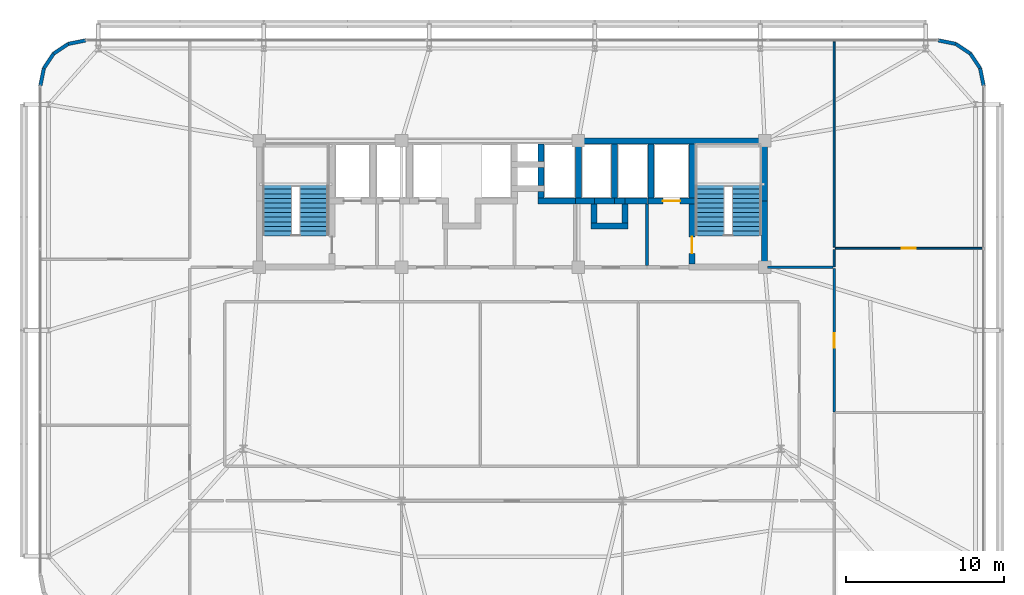
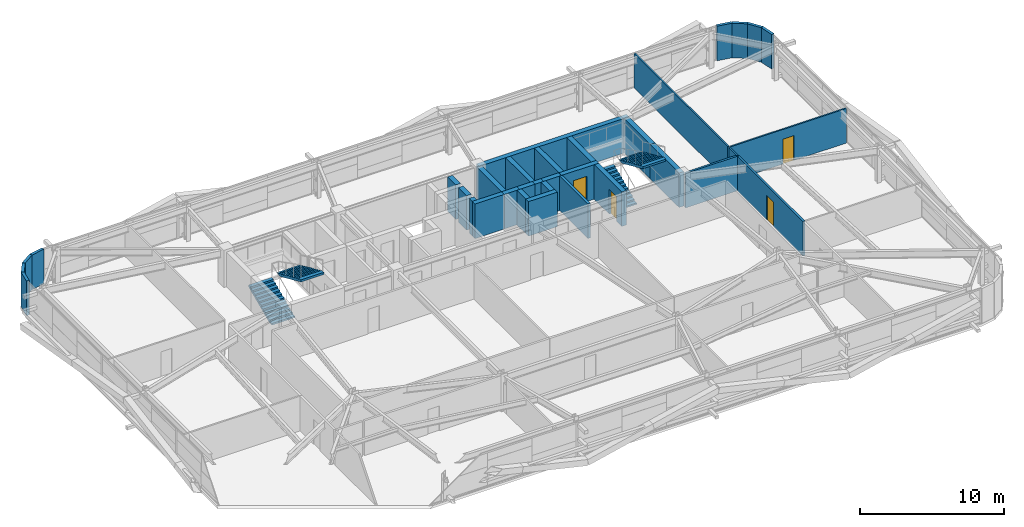
# One storey, part 41 of 44: 34 walls, 4 doors, 4 stair flights, 4 openings, 2 elements without a shape of their own.
"""IFC4 building model written with IfcOpenShell, lengths in metres."""

import ifcopenshell
import ifcopenshell.guid

model = None  # the IFC model being written
_history = None  # IfcOwnerHistory: only IFC2X3 demands one
_inside = {}  # id of a spatial element -> (the spatial element, [elements in it])
_under = {}  # id of a project, library or spatial element -> (it, [spatial elements below it])
_declared = {}  # id of a project -> (the project, [libraries it declares])
_typed = {}  # id of a type object -> (the type object, [elements of that type])
_made_of = {}  # id of a material, layer set ... -> (it, [elements and type objects made of it])


def new_model(schema):
    """Start an empty IFC model of exactly this schema.

    Asked for "IFC4X3", IfcOpenShell would pick the latest addendum, in which some entities
    have other attributes; the version numbers below select the first issue.
    IFC2X3 requires an IfcOwnerHistory on every rooted entity: one is made here for all.
    """
    global model, _history
    if schema == "IFC4X3":
        model = ifcopenshell.file(schema_version=(4, 3, 0, 0))
    else:
        model = ifcopenshell.file(schema=schema)
    _inside.clear()
    _under.clear()
    _declared.clear()
    _typed.clear()
    _made_of.clear()
    _history = None
    if model.schema == "IFC2X3":
        org = make("IfcOrganization", Name="unknown")
        user = make(
            "IfcPersonAndOrganization",
            ThePerson=make("IfcPerson", FamilyName="unknown"),
            TheOrganization=org,
        )
        app = make(
            "IfcApplication",
            ApplicationDeveloper=org,
            Version="unknown",
            ApplicationFullName="unknown",
            ApplicationIdentifier="unknown",
        )
        _history = make(
            "IfcOwnerHistory",
            OwningUser=user,
            OwningApplication=app,
            ChangeAction="ADDED",
            CreationDate=0,
        )
    return model


def make(cls, **values):
    """One entity of the class cls with the attributes given. An attribute that is None is left unset."""
    return model.create_entity(
        cls, **{name: value for name, value in values.items() if value is not None}
    )


def rooted(cls, **values):
    """An entity with a GlobalId (a new one), such as an element, a storey or a relation."""
    return make(cls, GlobalId=ifcopenshell.guid.new(), OwnerHistory=_history, **values)


def si_unit(unit_type, name, prefix=None):
    """IfcSIUnit, for example si_unit("LENGTHUNIT", "METRE", prefix="MILLI")."""
    return make("IfcSIUnit", UnitType=unit_type, Prefix=prefix, Name=name)


def assignment(units):
    """IfcUnitAssignment: the units of a project."""
    return None if units is None else make("IfcUnitAssignment", Units=units)


def point(xyz):
    """IfcCartesianPoint."""
    return None if xyz is None else make("IfcCartesianPoint", Coordinates=xyz)


def direction(xyz):
    """IfcDirection."""
    return None if xyz is None else make("IfcDirection", DirectionRatios=xyz)


def frame(location, z_axis=None, x_axis=None):
    """IfcAxis2Placement3D, a coordinate frame: its origin and axes. An axis left out is left unset."""
    return make(
        "IfcAxis2Placement3D",
        Location=point(location),
        Axis=direction(z_axis),
        RefDirection=direction(x_axis),
    )


def frame_2d(location, x_axis=None):
    """IfcAxis2Placement2D, a coordinate frame in the plane: its origin and x axis."""
    return make(
        "IfcAxis2Placement2D", Location=point(location), RefDirection=direction(x_axis)
    )


def origin():
    """The frame at (0, 0, 0) with its axes left unset."""
    return frame((0.0, 0.0, 0.0))


def place(relative_to, where):
    """IfcLocalPlacement: puts the frame where relative to a parent placement (None: the world)."""
    return make(
        "IfcLocalPlacement", PlacementRelTo=relative_to, RelativePlacement=where
    )


def context(
    kind, dimensions, precision=None, world=None, true_north=None, identifier=None
):
    """IfcGeometricRepresentationContext, for example the 3D "Model" context."""
    return make(
        "IfcGeometricRepresentationContext",
        ContextIdentifier=identifier,
        ContextType=kind,
        CoordinateSpaceDimension=dimensions,
        Precision=precision,
        WorldCoordinateSystem=world,
        TrueNorth=true_north,
    )


def subcontext(parent, identifier, kind, view, scale=None):
    """IfcGeometricRepresentationSubContext, for example "Body" below "Model"."""
    return make(
        "IfcGeometricRepresentationSubContext",
        ContextIdentifier=identifier,
        ContextType=kind,
        ParentContext=parent,
        TargetScale=scale,
        TargetView=view,
    )


def project(units=None, contexts=None):
    """IfcProject with its units and contexts."""
    return rooted(
        "IfcProject",
        Name="project",
        RepresentationContexts=contexts,
        UnitsInContext=assignment(units),
    )


def spatial(cls, under=None, at=None, **own):
    """A site, building, storey or space (cls), placed at a placement, below another one or the project."""
    s = rooted(cls, ObjectPlacement=at, **own)
    if under is not None:
        _under.setdefault(under.id(), (under, []))[1].append(s)
    return s


def polyline(points):
    """IfcPolyline through the points."""
    return make("IfcPolyline", Points=[point(p) for p in points])


def profile(cls, at=None, kind="AREA", **sizes):
    """A parametric profile (cls). Its sizes go by their IFC names, for example OverallWidth=200.0."""
    return make(cls, ProfileType=kind, Position=at, **sizes)


def rectangle(**sizes):
    """IfcRectangleProfileDef."""
    return profile("IfcRectangleProfileDef", **sizes)


def outline(outer, holes=None, kind="AREA"):
    """IfcArbitraryClosedProfileDef: a profile drawn as a closed curve; with holes, ...WithVoids."""
    if holes is None:
        return make("IfcArbitraryClosedProfileDef", ProfileType=kind, OuterCurve=outer)
    return make(
        "IfcArbitraryProfileDefWithVoids",
        ProfileType=kind,
        OuterCurve=outer,
        InnerCurves=holes,
    )


def extrude(swept, where, along, depth):
    """IfcExtrudedAreaSolid: the profile swept, set in the frame where, extruded along a direction by depth."""
    return make(
        "IfcExtrudedAreaSolid",
        SweptArea=swept,
        Position=where,
        ExtrudedDirection=direction(along),
        Depth=depth,
    )


def shape(context_of_items, identifier, shape_type, items):
    """IfcShapeRepresentation: the items that make up one representation, for example the "Body"."""
    return make(
        "IfcShapeRepresentation",
        ContextOfItems=context_of_items,
        RepresentationIdentifier=identifier,
        RepresentationType=shape_type,
        Items=items,
    )


def source(mapping_origin, context_of_items, identifier, shape_type, items):
    """IfcRepresentationMap: a shape defined once, which mapped items show again and again."""
    return make(
        "IfcRepresentationMap",
        MappingOrigin=mapping_origin,
        MappedRepresentation=shape(context_of_items, identifier, shape_type, items),
    )


def transform(
    local_origin,
    x_axis=None,
    y_axis=None,
    z_axis=None,
    scale=None,
    scale2=None,
    scale3=None,
    uniform=True,
):
    """IfcCartesianTransformationOperator3D, or its non-uniform kind. x_axis, y_axis, z_axis: its Axis1, 2, 3."""
    if uniform:
        return make(
            "IfcCartesianTransformationOperator3D",
            Axis1=direction(x_axis),
            Axis2=direction(y_axis),
            LocalOrigin=point(local_origin),
            Scale=scale,
            Axis3=direction(z_axis),
        )
    return make(
        "IfcCartesianTransformationOperator3DnonUniform",
        Axis1=direction(x_axis),
        Axis2=direction(y_axis),
        LocalOrigin=point(local_origin),
        Scale=scale,
        Axis3=direction(z_axis),
        Scale2=scale2,
        Scale3=scale3,
    )


def mapped(mapping_source, mapping_target):
    """IfcMappedItem: shows the shape of a source again, moved by a transform."""
    return make(
        "IfcMappedItem", MappingSource=mapping_source, MappingTarget=mapping_target
    )


def material(Name=None, Category=None):
    """IfcMaterial."""
    return make("IfcMaterial", Name=Name, Category=Category)


def layer(
    of_material, thickness, ventilated=None, Name=None, Category=None, Priority=None
):
    """IfcMaterialLayer: one layer of a wall or slab, of a material (None: an air gap)."""
    return make(
        "IfcMaterialLayer",
        Material=of_material,
        LayerThickness=thickness,
        IsVentilated=ventilated,
        Name=Name,
        Category=Category,
        Priority=Priority,
    )


def layer_set(layers, Name=None):
    """IfcMaterialLayerSet."""
    return make("IfcMaterialLayerSet", MaterialLayers=layers, LayerSetName=Name)


def made_of(thing, what):
    """Note that an element or type object is made of a material, layer set ...; save() writes the relation."""
    if what is not None:
        _made_of.setdefault(what.id(), (what, []))[1].append(thing)
    return thing


def type_object(cls, material=None, **own):
    """A type object (cls), such as IfcWallType, which elements share."""
    return made_of(rooted(cls, **own), material)


def element(
    cls,
    number,
    at=None,
    inside=None,
    cuts=None,
    type_object=None,
    material=None,
    context=None,
    identifier="Body",
    shape_type=None,
    held_by="IfcProductDefinitionShape",
    body=None,
    shapes=None,
    **own,
):
    """One element of the class cls, such as IfcWall. Its Tag is "e" and its number.

    at: its placement. inside: the storey or other place that contains it. cuts: it is an
    opening in that element (IfcRelVoidsElement). A single representation is given by context,
    identifier, shape_type and body (its items); several are given by shapes. held_by: the class
    of the entity that holds the representations. save() writes the other relations.
    """
    e = rooted(cls, Tag="e%d" % number, ObjectPlacement=at, **own)
    if body is not None:
        shapes = [shape(context, identifier, shape_type, body)]
    if shapes is not None:
        e.Representation = make(held_by, Representations=shapes)
    if inside is not None:
        _inside.setdefault(inside.id(), (inside, []))[1].append(e)
    if cuts is not None:
        rooted(
            "IfcRelVoidsElement", RelatingBuildingElement=cuts, RelatedOpeningElement=e
        )
    if type_object is not None:
        _typed.setdefault(type_object.id(), (type_object, []))[1].append(e)
    return made_of(e, material)


def fill(opening, filler):
    """IfcRelFillsElement: the door or window that sits in an opening."""
    return rooted(
        "IfcRelFillsElement",
        RelatingOpeningElement=opening,
        RelatedBuildingElement=filler,
    )


def aggregate(whole, parts):
    """IfcRelAggregates: a whole, such as a stair, and the parts it consists of."""
    return rooted("IfcRelAggregates", RelatingObject=whole, RelatedObjects=parts)


def save(model, path):
    """Write the relations noted so far, then the file.

    IfcRelAggregates (storeys below a building ...), IfcRelContainedInSpatialStructure (elements
    in a storey), IfcRelDefinesByType, IfcRelAssociatesMaterial and IfcRelDeclares: one each for
    every whole, place, type object, material and project.
    """
    for whole, parts in _under.values():
        aggregate(whole, parts)
    for where, things in _inside.values():
        rooted(
            "IfcRelContainedInSpatialStructure",
            RelatedElements=things,
            RelatingStructure=where,
        )
    for kind, things in _typed.values():
        rooted("IfcRelDefinesByType", RelatedObjects=things, RelatingType=kind)
    for what, things in _made_of.values():
        rooted("IfcRelAssociatesMaterial", RelatedObjects=things, RelatingMaterial=what)
    for by, libraries in _declared.values():
        rooted("IfcRelDeclares", RelatingContext=by, RelatedDefinitions=libraries)
    model.write(path)


model = new_model("IFC4")

# Units and contexts
model_context = context("Model", 3, precision=1e-05, world=origin(), true_north=direction((0.0, 1.0)))
body_context = subcontext(model_context, "Body", "Model", "MODEL_VIEW")
ifc_project = project(units=[si_unit("LENGTHUNIT", "METRE"), si_unit("AREAUNIT", "SQUARE_METRE"), si_unit("VOLUMEUNIT", "CUBIC_METRE"), si_unit("PLANEANGLEUNIT", "RADIAN"), si_unit("MASSUNIT", "GRAM", prefix="KILO")], contexts=[model_context])

# Site, building, storey
site_placement = place(None, origin())
site = spatial("IfcSite", under=ifc_project, at=site_placement, CompositionType="ELEMENT")
building_placement = place(site_placement, origin())
building = spatial("IfcBuilding", under=site, at=building_placement, Name="Taldren Reach Tower", CompositionType="ELEMENT")
storey_placement = place(building_placement, frame((0.0, 0.0, 42.0)))
storey = spatial("IfcBuildingStorey", under=building, at=storey_placement, Name="L12", CompositionType="ELEMENT", Elevation=42.0)

# Walls
ifc_material_1 = material(Name="Pale Champagne Anodised Aluminium Cladding", Category="aluminium")
ifc_layer_1 = layer(ifc_material_1, 0.04, Name="Pale Champagne Anodised Aluminium Cladding", Category="aluminium")
ifc_material_2 = material(Name="Mineral Wool Acoustic Insulation", Category="insulation")
ifc_layer_2 = layer(ifc_material_2, 0.06, Name="Mineral Wool Acoustic Insulation", Category="insulation")
ifc_material_3 = material(Name="Steel Gr 350 (C350L0)", Category="steel")
ifc_layer_3 = layer(ifc_material_3, 0.12, Name="Steel Gr 350 (C350L0)", Category="steel")
ifc_layer_set_1 = layer_set([ifc_layer_1, ifc_layer_2, ifc_layer_3], Name="Pale Champagne Aluminium Cladding and Steel Gr 350 Stud Framing")
wall_type_1 = type_object("IfcWallType", Name="EW-CRN-220", PredefinedType="SOLIDWALL", material=ifc_layer_set_1)
shared_shape_1 = source(origin(), body_context, "Body", "SweptSolid", [
    extrude(rectangle(XDim=1.115966796875, YDim=0.219970703125, at=frame_2d((0.55810546875, 0.0))), origin(), (0.0, 0.0, 1.0), 2.929931640625),
])
for number, where, z_axis, x_axis, name in (
    (1, (64.860107421875, 35.5, 0.0), (0.0, 0.0, 1.0), (-0.195148375659, 0.98077373103, 0.0), "Rounded-corner pale-metal facade wall L12-NE1"),
    (2, (64.642333984375, 36.594482421875, 0.0), (0.0, 0.0, 1.0), (-0.555709556774, 0.83137650226, 0.0), "Rounded-corner pale-metal facade wall L12-NE2"),
    (3, (64.022216796875, 37.522216796875, 0.0), (0.0, 0.0, 1.0), (-0.83137650226, 0.555709556774, 0.0), "Rounded-corner pale-metal facade wall L12-NE3"),
    (4, (63.094482421875, 38.142333984375, 0.0), (0.0, 0.0, 1.0), (-0.98077373103, 0.195148375659, 0.0), "Rounded-corner pale-metal facade wall L12-NE4"),
    (5, (8.0, 38.360107421875, 0.0), (0.0, 0.0, 1.0), (-0.98077373103, -0.195148375659, 0.0), "Rounded-corner pale-metal facade wall L12-NW1"),
    (6, (6.905517578125, 38.142333984375, 0.0), (0.0, 0.0, 1.0), (-0.83137650226, -0.555709556774, 0.0), "Rounded-corner pale-metal facade wall L12-NW2"),
    (7, (5.977783203125, 37.522216796875, 0.0), (0.0, 0.0, 1.0), (-0.555709556774, -0.83137650226, 0.0), "Rounded-corner pale-metal facade wall L12-NW3"),
    (8, (5.357666015625, 36.594482421875, 0.0), (0.0, 0.0, 1.0), (-0.195148375659, -0.98077373103, 0.0), "Rounded-corner pale-metal facade wall L12-NW4"),
):
    element("IfcWall", number, at=place(storey_placement, frame(where, z_axis=z_axis, x_axis=x_axis)), inside=storey, type_object=wall_type_1, Name=name, PredefinedType="SOLIDWALL", context=body_context, shape_type="MappedRepresentation", body=[
        mapped(shared_shape_1, transform((0.0, 0.0, 0.0), scale=1.0)),
    ])
ifc_material_4 = material(Name="Concrete S80 (80 MPa)", Category="concrete")
ifc_layer_4 = layer(ifc_material_4, 0.3798828125)
ifc_layer_set_2 = layer_set([ifc_layer_4], Name="Concrete S80 (80 MPa)")
wall_type_2 = type_object("IfcWallType", Name="IW-CORE-380", PredefinedType="SHEAR", material=ifc_layer_set_2)
shared_shape_2 = source(origin(), body_context, "Body", "SweptSolid", [
    extrude(rectangle(XDim=11.989990234375, YDim=0.3798828125, at=frame_2d((5.9951171875, 0.0))), origin(), (0.0, 0.0, 1.0), 2.929931640625),
])
wall_1_placement = place(storey_placement, frame((39.199951171875, 32.0, 0.0), z_axis=(0.0, 0.0, 1.0), x_axis=(1.0, 0.0, 0.0)))
element("IfcWall", 9, at=wall_1_placement, inside=storey, type_object=wall_type_2, Name="Rear Core Shear Wall W-CORE-L12-NORTH3", PredefinedType="SHEAR", context=body_context, shape_type="MappedRepresentation", body=[
    mapped(shared_shape_2, transform((0.0, 0.0, 0.0), scale=1.0)),
])
shared_shape_3 = source(origin(), body_context, "Body", "SweptSolid", [
    extrude(rectangle(XDim=4.010009765625, YDim=0.3798828125, at=frame_2d((2.0048828125, 0.0))), origin(), (0.0, 0.0, 1.0), 2.929931640625),
])
wall_2_placement = place(storey_placement, frame((51.0, 24.18994140625, 0.0), z_axis=(0.0, 0.0, 1.0), x_axis=(0.0, 1.0, 0.0)))
element("IfcWall", 10, at=wall_2_placement, inside=storey, type_object=wall_type_2, Name="Rear Core Shear Wall W-CORE-L12-EAST1", PredefinedType="SHEAR", context=body_context, shape_type="MappedRepresentation", body=[
    mapped(shared_shape_3, transform((0.0, 0.0, 0.0), scale=1.0)),
])
shared_shape_4 = source(origin(), body_context, "Body", "SweptSolid", [
    extrude(rectangle(XDim=3.610107421875, YDim=0.3798828125, at=frame_2d((1.80517578125, 0.0))), origin(), (0.0, 0.0, 1.0), 2.929931640625),
])
wall_3_placement = place(storey_placement, frame((51.0, 28.199951171875, 0.0), z_axis=(0.0, 0.0, 1.0), x_axis=(0.0, 1.0, 0.0)))
element("IfcWall", 11, at=wall_3_placement, inside=storey, type_object=wall_type_2, Name="Rear Core Shear Wall W-CORE-L12-EAST2", PredefinedType="SHEAR", context=body_context, shape_type="MappedRepresentation", body=[
    mapped(shared_shape_4, transform((0.0, 0.0, 0.0), scale=1.0)),
])
shared_shape_5 = source(origin(), body_context, "Body", "SweptSolid", [
    extrude(rectangle(XDim=3.420166015625, YDim=0.3798828125, at=frame_2d((1.7099609375, 0.0))), origin(), (0.0, 0.0, 1.0), 2.929931640625),
])
for number, where, z_axis, x_axis, name in (
    (12, (46.39990234375, 31.81005859375, 0.0), (0.0, 0.0, 1.0), (0.0, -1.0, 0.0), "Rear Core Shear Wall W-INT-L12-008"),
    (13, (43.800048828125, 31.81005859375, 0.0), (0.0, 0.0, 1.0), (0.0, -1.0, 0.0), "Rear Core Shear Wall W-INT-L12-012"),
    (14, (39.199951171875, 28.389892578125, 0.0), (0.0, 0.0, 1.0), (0.0, 1.0, 0.0), "Rear Core Shear Wall W-INT-L12-036"),
    (15, (41.5, 28.389892578125, 0.0), (0.0, 0.0, 1.0), (0.0, 1.0, 0.0), "Rear Core Shear Wall W-INT-L12-039"),
):
    element("IfcWall", number, at=place(storey_placement, frame(where, z_axis=z_axis, x_axis=x_axis)), inside=storey, type_object=wall_type_2, Name=name, PredefinedType="SHEAR", context=body_context, shape_type="MappedRepresentation", body=[
        mapped(shared_shape_5, transform((0.0, 0.0, 0.0), scale=1.0)),
    ])

# Wall, opening, door
shared_shape_6 = source(origin(), body_context, "Body", "SweptSolid", [
    extrude(rectangle(XDim=3.820068359375, YDim=0.3798828125, at=frame_2d((1.91015625, 0.0))), origin(), (0.0, 0.0, 1.0), 2.929931640625),
])
wall_4_placement = place(storey_placement, frame((46.39990234375, 28.010009765625, 0.0), z_axis=(0.0, 0.0, 1.0), x_axis=(0.0, -1.0, 0.0)))
wall_4 = element("IfcWall", 16, at=wall_4_placement, inside=storey, type_object=wall_type_2, Name="Rear Core Shear Wall W-INT-L12-009", PredefinedType="SHEAR", context=body_context, shape_type="MappedRepresentation", body=[
    mapped(shared_shape_6, transform((0.0, 0.0, 0.0), scale=1.0)),
])
shared_shape_7 = source(origin(), body_context, "Body", "SweptSolid", [
    extrude(rectangle(XDim=1.050048828125, YDim=2.10009765625, at=frame_2d((0.52490234375, 1.050048828125))), frame((0.0, 0.199951171875, 0.0), z_axis=(0.0, -1.0, 0.0), x_axis=(1.0, 0.0, 0.0)), (0.0, 0.0, 1.0), 0.39990234375),
])
opening_1_placement = place(wall_4_placement, frame((2.0849609375, 0.0, 0.0)))
opening_1 = element("IfcOpeningElement", 17, at=opening_1_placement, cuts=wall_4, Name="Opening DF-105", PredefinedType="OPENING", context=body_context, shape_type="MappedRepresentation", body=[
    mapped(shared_shape_7, transform((0.0, 0.0, 0.0), scale=1.0)),
])
ifc_material_5 = material(Name="Fire-Rated Care and Stair Exit Door")
door_type_1 = type_object("IfcDoorType", Name="ID-FIRE-105", OperationType="NOTDEFINED", PredefinedType="DOOR", material=ifc_material_5)
shared_shape_8 = source(origin(), body_context, "Body", "SweptSolid", [
    extrude(rectangle(XDim=1.050048828125, YDim=2.10009765625, at=frame_2d((0.52490234375, 1.050048828125))), frame((0.0, 0.02490234375, 0.0), z_axis=(0.0, -1.0, 0.0), x_axis=(1.0, 0.0, 0.0)), (0.0, 0.0, 1.0), 0.050048828125),
])
door_1_placement = place(opening_1_placement, origin())
door_1 = element("IfcDoor", 18, at=door_1_placement, inside=storey, type_object=door_type_1, Name="Fire Exit Stair Door DR-L12-003", OperationType="SINGLE_SWING_RIGHT", OverallHeight=2.10009765625, OverallWidth=1.050048828125, PredefinedType="DOOR", context=body_context, shape_type="MappedRepresentation", body=[
    mapped(shared_shape_8, transform((0.0, 0.0, 0.0), scale=1.0)),
])
fill(opening_1, door_1)

shared_shape_9 = source(origin(), body_context, "Body", "SweptSolid", [
    extrude(rectangle(XDim=2.97998046875, YDim=0.3798828125, at=frame_2d((1.489990234375, 0.0))), origin(), (0.0, 0.0, 1.0), 2.929931640625),
])
wall_5_placement = place(storey_placement, frame((43.610107421875, 28.199951171875, 0.0), z_axis=(0.0, 0.0, 1.0), x_axis=(1.0, 0.0, 0.0)))
wall_5 = element("IfcWall", 19, at=wall_5_placement, inside=storey, type_object=wall_type_2, Name="Rear Core Shear Wall W-INT-L12-011", PredefinedType="SHEAR", context=body_context, shape_type="MappedRepresentation", body=[
    mapped(shared_shape_9, transform((0.0, 0.0, 0.0), scale=1.0)),
])
shared_shape_10 = source(origin(), body_context, "Body", "SweptSolid", [
    extrude(rectangle(XDim=1.10009765625, YDim=2.14990234375, at=frame_2d((0.550048828125, 1.074951171875))), frame((0.0, 0.199951171875, 0.0), z_axis=(0.0, -1.0, 0.0), x_axis=(1.0, 0.0, 0.0)), (0.0, 0.0, 1.0), 0.39990234375),
])
opening_2_placement = place(wall_5_placement, frame((0.93994140625, 0.0, 0.0)))
opening_2 = element("IfcOpeningElement", 20, at=opening_2_placement, cuts=wall_5, Name="Opening LD-FL2", PredefinedType="OPENING", context=body_context, shape_type="MappedRepresentation", body=[
    mapped(shared_shape_10, transform((0.0, 0.0, 0.0), scale=1.0)),
])
ifc_material_6 = material(Name="Stainless Steel Gr 316 Emergency Lift Landing Door", Category="steel")
door_type_2 = type_object("IfcDoorType", Name="LD-EMG-110", OperationType="SLIDING_TO_LEFT", PredefinedType="DOOR", material=ifc_material_6)
shared_shape_11 = source(origin(), body_context, "Body", "SweptSolid", [
    extrude(rectangle(XDim=1.10009765625, YDim=2.14990234375, at=frame_2d((0.550048828125, 1.074951171875))), frame((0.0, 0.02490234375, 0.0), z_axis=(0.0, -1.0, 0.0), x_axis=(1.0, 0.0, 0.0)), (0.0, 0.0, 1.0), 0.050048828125),
])
door_2_placement = place(opening_2_placement, origin())
door_2 = element("IfcDoor", 21, at=door_2_placement, inside=storey, type_object=door_type_2, Name="Lift Landing Door LD-FL2-L12", OperationType="SLIDING_TO_LEFT", OverallHeight=2.14990234375, OverallWidth=1.10009765625, PredefinedType="DOOR", context=body_context, shape_type="MappedRepresentation", body=[
    mapped(shared_shape_11, transform((0.0, 0.0, 0.0), scale=1.0)),
])
fill(opening_2, door_2)

# Walls
ifc_material_7 = material(Name="Concrete S50 (50 MPa)", Category="concrete")
ifc_layer_5 = layer(ifc_material_7, 0.199951171875)
ifc_layer_set_3 = layer_set([ifc_layer_5], Name="Concrete S50 (50 MPa)")
wall_type_3 = type_object("IfcWallType", Name="IW-CORE-200", PredefinedType="SOLIDWALL", material=ifc_layer_set_3)
shared_shape_12 = source(origin(), body_context, "Body", "SweptSolid", [
    extrude(rectangle(XDim=3.909912109375, YDim=0.199951171875, at=frame_2d((1.955078125, 0.0))), origin(), (0.0, 0.0, 1.0), 2.929931640625),
])
wall_6_placement = place(storey_placement, frame((43.550048828125, 28.010009765625, 0.0), z_axis=(0.0, 0.0, 1.0), x_axis=(0.0, -1.0, 0.0)))
element("IfcWall", 22, at=wall_6_placement, inside=storey, type_object=wall_type_3, Name="Rear Core Shear Wall W-INT-L12-013", PredefinedType="SOLIDWALL", context=body_context, shape_type="MappedRepresentation", body=[
    mapped(shared_shape_12, transform((0.0, 0.0, 0.0), scale=1.0)),
])
shared_shape_13 = source(origin(), body_context, "Body", "SweptSolid", [
    extrude(rectangle(XDim=1.1201171875, YDim=0.3798828125, at=frame_2d((0.56005859375, 0.0))), origin(), (0.0, 0.0, 1.0), 2.929931640625),
])
for number, where, z_axis, x_axis, name in (
    (23, (36.85009765625, 30.68994140625, 0.0), (0.0, 0.0, 1.0), (0.0, 1.0, 0.0), "Rear Core Shear Wall W-INT-L12-017"),
    (24, (36.85009765625, 29.18994140625, 0.0), (0.0, 0.0, 1.0), (0.0, 1.0, 0.0), "Rear Core Shear Wall W-INT-L12-019"),
):
    element("IfcWall", number, at=place(storey_placement, frame(where, z_axis=z_axis, x_axis=x_axis)), inside=storey, type_object=wall_type_2, Name=name, PredefinedType="SHEAR", context=body_context, shape_type="MappedRepresentation", body=[
        mapped(shared_shape_13, transform((0.0, 0.0, 0.0), scale=1.0)),
    ])
shared_shape_14 = source(origin(), body_context, "Body", "SweptSolid", [
    extrude(rectangle(XDim=1.219970703125, YDim=0.3798828125, at=frame_2d((0.60986328125, 0.0))), origin(), (0.0, 0.0, 1.0), 2.929931640625),
])
for number, where, z_axis, x_axis, name in (
    (25, (40.199951171875, 28.010009765625, 0.0), (0.0, 0.0, 1.0), (0.0, -1.0, 0.0), "Rear Core Shear Wall W-INT-L12-027"),
    (26, (42.14990234375, 26.7900390625, 0.0), (0.0, 0.0, 1.0), (0.0, 1.0, 0.0), "Rear Core Shear Wall W-INT-L12-028"),
):
    element("IfcWall", number, at=place(storey_placement, frame(where, z_axis=z_axis, x_axis=x_axis)), inside=storey, type_object=wall_type_2, Name=name, PredefinedType="SHEAR", context=body_context, shape_type="MappedRepresentation", body=[
        mapped(shared_shape_14, transform((0.0, 0.0, 0.0), scale=1.0)),
    ])
shared_shape_15 = source(origin(), body_context, "Body", "SweptSolid", [
    extrude(rectangle(XDim=1.320068359375, YDim=0.3798828125, at=frame_2d((0.66015625, 0.0))), origin(), (0.0, 0.0, 1.0), 2.929931640625),
])
wall_7_placement = place(storey_placement, frame((41.52001953125, 28.199951171875, 0.0), z_axis=(0.0, 0.0, 1.0), x_axis=(-1.0, 0.0, 0.0)))
element("IfcWall", 27, at=wall_7_placement, inside=storey, type_object=wall_type_2, Name="Rear Core Shear Wall W-INT-L12-024", PredefinedType="SHEAR", context=body_context, shape_type="MappedRepresentation", body=[
    mapped(shared_shape_15, transform((0.0, 0.0, 0.0), scale=1.0)),
])
shared_shape_16 = source(origin(), body_context, "Body", "SweptSolid", [
    extrude(rectangle(XDim=0.669921875, YDim=0.3798828125, at=frame_2d((0.3349609375, 0.0))), origin(), (0.0, 0.0, 1.0), 2.929931640625),
])
wall_8_placement = place(storey_placement, frame((42.14990234375, 28.199951171875, 0.0), z_axis=(0.0, 0.0, 1.0), x_axis=(-1.0, 0.0, 0.0)))
element("IfcWall", 28, at=wall_8_placement, inside=storey, type_object=wall_type_2, Name="Rear Core Shear Wall W-INT-L12-025", PredefinedType="SHEAR", context=body_context, shape_type="MappedRepresentation", body=[
    mapped(shared_shape_16, transform((0.0, 0.0, 0.0), scale=1.0)),
])
shared_shape_17 = source(origin(), body_context, "Body", "SweptSolid", [
    extrude(rectangle(XDim=2.330078125, YDim=0.3798828125, at=frame_2d((1.1650390625, 0.0))), origin(), (0.0, 0.0, 1.0), 2.929931640625),
])
wall_9_placement = place(storey_placement, frame((40.010009765625, 26.60009765625, 0.0), z_axis=(0.0, 0.0, 1.0), x_axis=(1.0, 0.0, 0.0)))
element("IfcWall", 29, at=wall_9_placement, inside=storey, type_object=wall_type_2, Name="Rear Core Shear Wall W-INT-L12-026", PredefinedType="SHEAR", context=body_context, shape_type="MappedRepresentation", body=[
    mapped(shared_shape_17, transform((0.0, 0.0, 0.0), scale=1.0)),
])
shared_shape_18 = source(origin(), body_context, "Body", "SweptSolid", [
    extrude(rectangle(XDim=0.420166015625, YDim=0.3798828125, at=frame_2d((0.2099609375, 0.0))), origin(), (0.0, 0.0, 1.0), 2.929931640625),
])
wall_10_placement = place(storey_placement, frame((36.85009765625, 28.81005859375, 0.0), z_axis=(0.0, 0.0, 1.0), x_axis=(0.0, -1.0, 0.0)))
element("IfcWall", 30, at=wall_10_placement, inside=storey, type_object=wall_type_2, Name="Rear Core Shear Wall W-INT-L12-038", PredefinedType="SHEAR", context=body_context, shape_type="MappedRepresentation", body=[
    mapped(shared_shape_18, transform((0.0, 0.0, 0.0), scale=1.0)),
])
shared_shape_19 = source(origin(), body_context, "Body", "SweptSolid", [
    extrude(rectangle(XDim=1.440185546875, YDim=0.3798828125, at=frame_2d((0.72021484375, 0.0))), origin(), (0.0, 0.0, 1.0), 2.929931640625),
])
wall_11_placement = place(storey_placement, frame((42.1298828125, 28.199951171875, 0.0), z_axis=(0.0, 0.0, 1.0), x_axis=(1.0, 0.0, 0.0)))
element("IfcWall", 31, at=wall_11_placement, inside=storey, type_object=wall_type_2, Name="Rear Core Shear Wall W-INT-L12-041", PredefinedType="SHEAR", context=body_context, shape_type="MappedRepresentation", body=[
    mapped(shared_shape_19, transform((0.0, 0.0, 0.0), scale=1.0)),
])
ifc_material_8 = material(Name="Fire-Rated Acoustic Plasterboard Stud Wall", Category="gypsum")
ifc_layer_6 = layer(ifc_material_8, 0.159912109375)
ifc_layer_set_4 = layer_set([ifc_layer_6], Name="Fire-Rated Acoustic Plasterboard Stud Wall")
wall_type_4 = type_object("IfcWallType", Name="IW-FIRE-160", PredefinedType="PARTITIONING", material=ifc_layer_set_4)
shared_shape_20 = source(origin(), body_context, "Body", "SweptSolid", [
    extrude(rectangle(XDim=4.130126953125, YDim=0.159912109375, at=frame_2d((2.06494140625, 0.0))), origin(), (0.0, 0.0, 1.0), 2.929931640625),
])
wall_12_placement = place(storey_placement, frame((51.18994140625, 24.0, 0.0), z_axis=(0.0, 0.0, 1.0), x_axis=(1.0, 0.0, 0.0)))
element("IfcWall", 32, at=wall_12_placement, inside=storey, type_object=wall_type_4, Name="Interior Partition Wall W-INT-L12-059", PredefinedType="PARTITIONING", context=body_context, shape_type="MappedRepresentation", body=[
    mapped(shared_shape_20, transform((0.0, 0.0, 0.0), scale=1.0)),
])
shared_shape_21 = source(origin(), body_context, "Body", "SweptSolid", [
    extrude(rectangle(XDim=2.360107421875, YDim=0.3798828125, at=frame_2d((1.18017578125, 0.0))), origin(), (0.0, 0.0, 1.0), 2.929931640625),
])
wall_13_placement = place(storey_placement, frame((36.659912109375, 28.199951171875, 0.0), z_axis=(0.0, 0.0, 1.0), x_axis=(1.0, 0.0, 0.0)))
element("IfcWall", 33, at=wall_13_placement, inside=storey, type_object=wall_type_2, Name="Rear Core Shear Wall W-INT-L12-037", PredefinedType="SHEAR", context=body_context, shape_type="MappedRepresentation", body=[
    mapped(shared_shape_21, transform((0.0, 0.0, 0.0), scale=1.0)),
])
shared_shape_22 = source(origin(), body_context, "Body", "SweptSolid", [
    extrude(rectangle(XDim=1.2099609375, YDim=0.3798828125, at=frame_2d((0.60498046875, 0.0))), origin(), (0.0, 0.0, 1.0), 2.929931640625),
])
wall_14_placement = place(storey_placement, frame((39.010009765625, 28.199951171875, 0.0), z_axis=(0.0, 0.0, 1.0), x_axis=(1.0, 0.0, 0.0)))
element("IfcWall", 34, at=wall_14_placement, inside=storey, type_object=wall_type_2, Name="Rear Core Shear Wall W-INT-L12-040", PredefinedType="SHEAR", context=body_context, shape_type="MappedRepresentation", body=[
    mapped(shared_shape_22, transform((0.0, 0.0, 0.0), scale=1.0)),
])

# Wall, opening, door
ifc_material_9 = material(Name="Insulated Residential Stud Partition", Category="gypsum")
ifc_layer_7 = layer(ifc_material_9, 0.1201171875)
ifc_layer_set_5 = layer_set([ifc_layer_7], Name="Insulated Residential Stud Partition")
wall_type_5 = type_object("IfcWallType", Name="IW-PART-120", PredefinedType="PARTITIONING", material=ifc_layer_set_5)
shared_shape_23 = source(origin(), body_context, "Body", "SweptSolid", [
    extrude(rectangle(XDim=9.2900390625, YDim=0.1201171875, at=frame_2d((4.64501953125, 0.0))), origin(), (0.0, 0.0, 1.0), 2.929931640625),
])
wall_15_placement = place(storey_placement, frame((55.47998046875, 25.199951171875, 0.0), z_axis=(0.0, 0.0, 1.0), x_axis=(1.0, 0.0, 0.0)))
wall_15 = element("IfcWall", 35, at=wall_15_placement, inside=storey, type_object=wall_type_5, Name="Interior Partition Wall W-INT-L12-076", PredefinedType="PARTITIONING", context=body_context, shape_type="MappedRepresentation", body=[
    mapped(shared_shape_23, transform((0.0, 0.0, 0.0), scale=1.0)),
])
shared_shape_24 = source(origin(), body_context, "Body", "SweptSolid", [
    extrude(rectangle(XDim=0.860107421875, YDim=2.10009765625, at=frame_2d((0.43017578125, 1.050048828125))), frame((0.0, 0.070068359375, 0.0), z_axis=(0.0, -1.0, 0.0), x_axis=(1.0, 0.0, 0.0)), (0.0, 0.0, 1.0), 0.14013671875),
])
opening_3_placement = place(wall_15_placement, frame((4.215087890625, 0.0, 0.0)))
opening_3 = element("IfcOpeningElement", 36, at=opening_3_placement, cuts=wall_15, Name="Opening DI-086", PredefinedType="OPENING", context=body_context, shape_type="MappedRepresentation", body=[
    mapped(shared_shape_24, transform((0.0, 0.0, 0.0), scale=1.0)),
])
ifc_material_10 = material(Name="Timber Bathroom Door", Category="wood")
door_type_3 = type_object("IfcDoorType", Name="ID-INT-086", OperationType="NOTDEFINED", PredefinedType="DOOR", material=ifc_material_10)
shared_shape_25 = source(origin(), body_context, "Body", "SweptSolid", [
    extrude(rectangle(XDim=0.860107421875, YDim=2.10009765625, at=frame_2d((0.43017578125, 1.050048828125))), frame((0.0, 0.02490234375, 0.0), z_axis=(0.0, -1.0, 0.0), x_axis=(1.0, 0.0, 0.0)), (0.0, 0.0, 1.0), 0.050048828125),
])
door_3_placement = place(opening_3_placement, frame((0.860107421875, 0.0, 0.0), z_axis=(0.0, 0.0, 1.0), x_axis=(-1.0, 0.0, 0.0)))
door_3 = element("IfcDoor", 37, at=door_3_placement, inside=storey, type_object=door_type_3, Name="Interior Door DR-L12-021", OperationType="SINGLE_SWING_LEFT", OverallHeight=2.10009765625, OverallWidth=0.860107421875, PredefinedType="DOOR", context=body_context, shape_type="MappedRepresentation", body=[
    mapped(shared_shape_25, transform((0.0, 0.0, 0.0), scale=1.0)),
])
fill(opening_3, door_3)

shared_shape_26 = source(origin(), body_context, "Body", "SweptSolid", [
    extrude(rectangle(XDim=9.099609375, YDim=0.159912109375, at=frame_2d((4.5498046875, 0.0))), origin(), (0.0, 0.0, 1.0), 2.929931640625),
])
wall_16_placement = place(storey_placement, frame((55.39990234375, 23.919921875, 0.0), z_axis=(0.0, 0.0, 1.0), x_axis=(0.0, -1.0, 0.0)))
wall_16 = element("IfcWall", 38, at=wall_16_placement, inside=storey, type_object=wall_type_4, Name="Interior Partition Wall W-INT-L12-057", PredefinedType="PARTITIONING", context=body_context, shape_type="MappedRepresentation", body=[
    mapped(shared_shape_26, transform((0.0, 0.0, 0.0), scale=1.0)),
])
shared_shape_27 = source(origin(), body_context, "Body", "SweptSolid", [
    extrude(rectangle(XDim=0.919921875, YDim=2.10009765625, at=frame_2d((0.4599609375, 1.050048828125))), frame((0.0, 0.08984375, 0.0), z_axis=(0.0, -1.0, 0.0), x_axis=(1.0, 0.0, 0.0)), (0.0, 0.0, 1.0), 0.179931640625),
])
opening_4_placement = place(wall_16_placement, frame((4.08984375, 0.0, 0.0)))
opening_4 = element("IfcOpeningElement", 39, at=opening_4_placement, cuts=wall_16, Name="Opening DI-092", PredefinedType="OPENING", context=body_context, shape_type="MappedRepresentation", body=[
    mapped(shared_shape_27, transform((0.0, 0.0, 0.0), scale=1.0)),
])
ifc_material_11 = material(Name="Solid-Core Timber Suite Door", Category="wood")
door_type_4 = type_object("IfcDoorType", Name="ID-INT-092", OperationType="NOTDEFINED", PredefinedType="DOOR", material=ifc_material_11)
shared_shape_28 = source(origin(), body_context, "Body", "SweptSolid", [
    extrude(rectangle(XDim=0.919921875, YDim=2.10009765625, at=frame_2d((0.4599609375, 1.050048828125))), frame((0.0, 0.02490234375, 0.0), z_axis=(0.0, -1.0, 0.0), x_axis=(1.0, 0.0, 0.0)), (0.0, 0.0, 1.0), 0.050048828125),
])
door_4_placement = place(opening_4_placement, origin())
door_4 = element("IfcDoor", 40, at=door_4_placement, inside=storey, type_object=door_type_4, Name="Interior Door DR-L12-015", OperationType="SINGLE_SWING_RIGHT", OverallHeight=2.10009765625, OverallWidth=0.919921875, PredefinedType="DOOR", context=body_context, shape_type="MappedRepresentation", body=[
    mapped(shared_shape_28, transform((0.0, 0.0, 0.0), scale=1.0)),
])
fill(opening_4, door_4)

# Walls
shared_shape_29 = source(origin(), body_context, "Body", "SweptSolid", [
    extrude(rectangle(XDim=1.099853515625, YDim=0.1201171875, at=frame_2d((0.5498046875, 0.0))), origin(), (0.0, 0.0, 1.0), 2.929931640625),
])
wall_17_placement = place(storey_placement, frame((55.39990234375, 24.020263671875, 0.0), z_axis=(0.0, 0.0, 1.0), x_axis=(0.0, 1.0, 0.0)))
element("IfcWall", 41, at=wall_17_placement, inside=storey, type_object=wall_type_5, Name="Interior Partition Wall W-INT-L12-077", PredefinedType="PARTITIONING", context=body_context, shape_type="MappedRepresentation", body=[
    mapped(shared_shape_29, transform((0.0, 0.0, 0.0), scale=1.0)),
])
shared_shape_30 = source(origin(), body_context, "Body", "SweptSolid", [
    extrude(rectangle(XDim=12.989990234375, YDim=0.1201171875, at=frame_2d((6.4951171875, 0.0))), origin(), (0.0, 0.0, 1.0), 2.929931640625),
])
wall_18_placement = place(storey_placement, frame((55.39990234375, 25.280029296875, 0.0), z_axis=(0.0, 0.0, 1.0), x_axis=(0.0, 1.0, 0.0)))
element("IfcWall", 42, at=wall_18_placement, inside=storey, type_object=wall_type_5, Name="Interior Partition Wall W-INT-L12-078", PredefinedType="PARTITIONING", context=body_context, shape_type="MappedRepresentation", body=[
    mapped(shared_shape_30, transform((0.0, 0.0, 0.0), scale=1.0)),
])

# Stair, stair flights
stair_type = type_object("IfcStairType", Name="ST-HT-315", PredefinedType="HALF_TURN_STAIR", material=ifc_material_7)
stair_1_placement = place(storey_placement, origin())
stair_1 = element("IfcStair", 43, at=stair_1_placement, inside=storey, type_object=stair_type, Name="Fire-isolated exit stair ST1 L12", PredefinedType="HALF_TURN_STAIR")
stair_flight_type = type_object("IfcStairFlightType", Name="SF-STR-315", PredefinedType="STRAIGHT", material=ifc_material_7)
stair_flight_1_placement = place(storey_placement, frame((20.139892578125, 25.989990234375, 0.0), z_axis=(0.0, 0.0, 1.0), x_axis=(0.0, 1.0, 0.0)))
stair_flight_1 = element("IfcStairFlight", 44, at=stair_flight_1_placement, type_object=stair_flight_type, Name="ST1 flight 1", NumberOfRisers=12, NumberOfTreads=11, PredefinedType="STRAIGHT", RiserHeight=0.13125, TreadLength=0.295, context=body_context, shape_type="SweptSolid", body=[
    extrude(outline(polyline([(0.0, 0.0), (0.0, 0.13134765625), (0.294921875, 0.13134765625), (0.294921875, 0.262451171875), (0.590087890625, 0.262451171875), (0.590087890625, 0.393798828125), (0.885009765625, 0.393798828125), (0.885009765625, 0.52490234375), (1.179931640625, 0.52490234375), (1.179931640625, 0.65625), (1.47509765625, 0.65625), (1.47509765625, 0.78759765625), (1.77001953125, 0.78759765625), (1.77001953125, 0.918701171875), (2.06494140625, 0.918701171875), (2.06494140625, 1.050048828125), (2.360107421875, 1.050048828125), (2.360107421875, 1.18115234375), (2.655029296875, 1.18115234375), (2.655029296875, 1.3125), (2.949951171875, 1.3125), (2.949951171875, 1.44384765625), (3.2451171875, 1.44384765625), (3.2451171875, 1.574951171875), (3.2451171875, 1.268798828125), (0.393310546875, 0.0), (0.0, 0.0)])), frame((0.0, 0.919921875, 0.0), z_axis=(0.0, -1.0, 0.0), x_axis=(1.0, 0.0, 0.0)), (0.0, 0.0, 1.0), 1.840087890625),
])
stair_flight_2_placement = place(storey_placement, frame((22.4599609375, 29.235107421875, 1.574951171875), z_axis=(0.0, 0.0, 1.0), x_axis=(0.0, -1.0, 0.0)))
stair_flight_2 = element("IfcStairFlight", 45, at=stair_flight_2_placement, type_object=stair_flight_type, Name="ST1 flight 2", NumberOfRisers=12, NumberOfTreads=11, PredefinedType="STRAIGHT", RiserHeight=0.13125, TreadLength=0.295, context=body_context, shape_type="SweptSolid", body=[
    extrude(outline(polyline([(0.0, 0.0), (0.0, 0.13134765625), (0.294921875, 0.13134765625), (0.294921875, 0.262451171875), (0.590087890625, 0.262451171875), (0.590087890625, 0.393798828125), (0.885009765625, 0.393798828125), (0.885009765625, 0.52490234375), (1.179931640625, 0.52490234375), (1.179931640625, 0.65625), (1.47509765625, 0.65625), (1.47509765625, 0.78759765625), (1.77001953125, 0.78759765625), (1.77001953125, 0.918701171875), (2.06494140625, 0.918701171875), (2.06494140625, 1.050048828125), (2.360107421875, 1.050048828125), (2.360107421875, 1.18115234375), (2.655029296875, 1.18115234375), (2.655029296875, 1.3125), (2.949951171875, 1.3125), (2.949951171875, 1.44384765625), (3.2451171875, 1.44384765625), (3.2451171875, 1.574951171875), (3.2451171875, 1.268798828125), (0.393310546875, 0.0), (0.0, 0.0)])), frame((0.0, 0.919921875, 0.0), z_axis=(0.0, -1.0, 0.0), x_axis=(1.0, 0.0, 0.0)), (0.0, 0.0, 1.0), 1.840087890625),
])
aggregate(stair_1, [stair_flight_1, stair_flight_2])

stair_2_placement = place(storey_placement, origin())
stair_2 = element("IfcStair", 46, at=stair_2_placement, inside=storey, type_object=stair_type, Name="Fire-isolated exit stair ST2 L12", PredefinedType="HALF_TURN_STAIR")
stair_flight_3_placement = place(storey_placement, frame((47.5400390625, 25.989990234375, 0.0), z_axis=(0.0, 0.0, 1.0), x_axis=(0.0, 1.0, 0.0)))
stair_flight_3 = element("IfcStairFlight", 47, at=stair_flight_3_placement, type_object=stair_flight_type, Name="ST2 flight 1", NumberOfRisers=12, NumberOfTreads=11, PredefinedType="STRAIGHT", RiserHeight=0.13125, TreadLength=0.295, context=body_context, shape_type="SweptSolid", body=[
    extrude(outline(polyline([(0.0, 0.0), (0.0, 0.13134765625), (0.294921875, 0.13134765625), (0.294921875, 0.262451171875), (0.590087890625, 0.262451171875), (0.590087890625, 0.393798828125), (0.885009765625, 0.393798828125), (0.885009765625, 0.52490234375), (1.179931640625, 0.52490234375), (1.179931640625, 0.65625), (1.47509765625, 0.65625), (1.47509765625, 0.78759765625), (1.77001953125, 0.78759765625), (1.77001953125, 0.918701171875), (2.06494140625, 0.918701171875), (2.06494140625, 1.050048828125), (2.360107421875, 1.050048828125), (2.360107421875, 1.18115234375), (2.655029296875, 1.18115234375), (2.655029296875, 1.3125), (2.949951171875, 1.3125), (2.949951171875, 1.44384765625), (3.2451171875, 1.44384765625), (3.2451171875, 1.574951171875), (3.2451171875, 1.268798828125), (0.393310546875, 0.0), (0.0, 0.0)])), frame((0.0, 0.919921875, 0.0), z_axis=(0.0, -1.0, 0.0), x_axis=(1.0, 0.0, 0.0)), (0.0, 0.0, 1.0), 1.840087890625),
])
stair_flight_4_placement = place(storey_placement, frame((49.860107421875, 29.235107421875, 1.574951171875), z_axis=(0.0, 0.0, 1.0), x_axis=(0.0, -1.0, 0.0)))
stair_flight_4 = element("IfcStairFlight", 48, at=stair_flight_4_placement, type_object=stair_flight_type, Name="ST2 flight 2", NumberOfRisers=12, NumberOfTreads=11, PredefinedType="STRAIGHT", RiserHeight=0.13125, TreadLength=0.295, context=body_context, shape_type="SweptSolid", body=[
    extrude(outline(polyline([(0.0, 0.0), (0.0, 0.13134765625), (0.294921875, 0.13134765625), (0.294921875, 0.262451171875), (0.590087890625, 0.262451171875), (0.590087890625, 0.393798828125), (0.885009765625, 0.393798828125), (0.885009765625, 0.52490234375), (1.179931640625, 0.52490234375), (1.179931640625, 0.65625), (1.47509765625, 0.65625), (1.47509765625, 0.78759765625), (1.77001953125, 0.78759765625), (1.77001953125, 0.918701171875), (2.06494140625, 0.918701171875), (2.06494140625, 1.050048828125), (2.360107421875, 1.050048828125), (2.360107421875, 1.18115234375), (2.655029296875, 1.18115234375), (2.655029296875, 1.3125), (2.949951171875, 1.3125), (2.949951171875, 1.44384765625), (3.2451171875, 1.44384765625), (3.2451171875, 1.574951171875), (3.2451171875, 1.268798828125), (0.393310546875, 0.0), (0.0, 0.0)])), frame((0.0, 0.919921875, 0.0), z_axis=(0.0, -1.0, 0.0), x_axis=(1.0, 0.0, 0.0)), (0.0, 0.0, 1.0), 1.840087890625),
])
aggregate(stair_2, [stair_flight_3, stair_flight_4])

save(model, "model.ifc")
